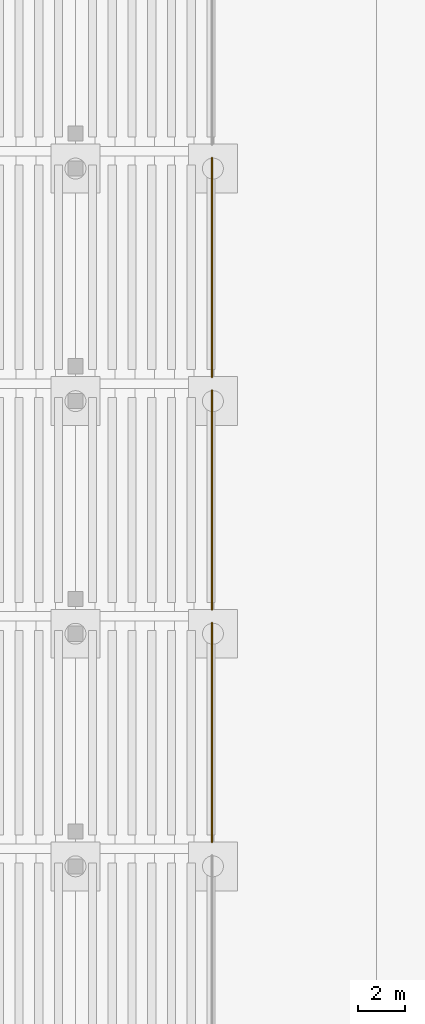
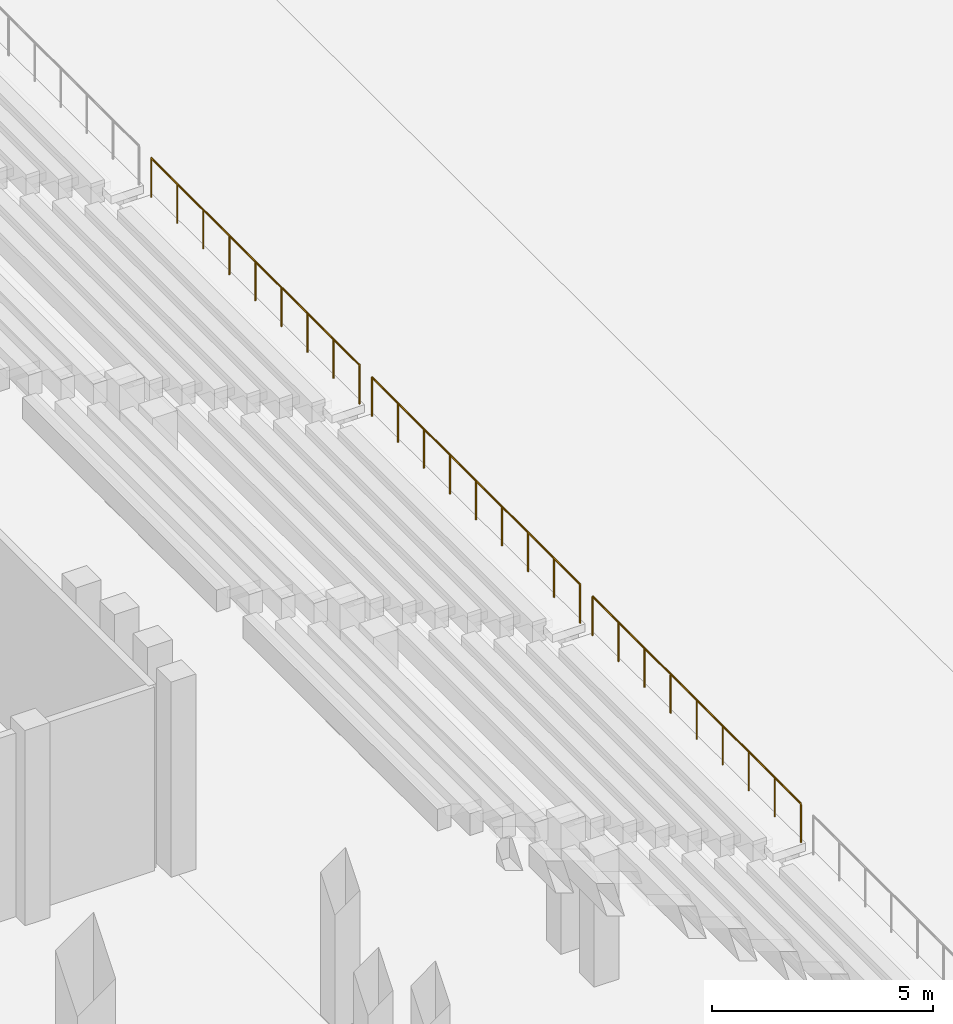
# One storey, part 71 of 89: 3 railings.
"""IFC4 building model written with IfcOpenShell, lengths in metres."""

from ifc_helpers import new_model, si_unit, direction, frame, origin, origin_2d, place, context, subcontext, project, spatial, circle, extrude, material, type_object, element, save


model = new_model("IFC4")

# Units and contexts
model_context = context("Model", 3, precision=1e-05, world=origin(), true_north=direction((0.0, 1.0)))
body_context = subcontext(model_context, "Body", "Model", "MODEL_VIEW")
ifc_project = project(units=[si_unit("LENGTHUNIT", "METRE"), si_unit("AREAUNIT", "SQUARE_METRE"), si_unit("VOLUMEUNIT", "CUBIC_METRE"), si_unit("PLANEANGLEUNIT", "RADIAN"), si_unit("MASSUNIT", "GRAM", prefix="KILO")], contexts=[model_context])

# Site, building, storey
site_placement = place(None, origin())
site = spatial("IfcSite", under=ifc_project, at=site_placement, CompositionType="ELEMENT")
building_placement = place(site_placement, origin())
building = spatial("IfcBuilding", under=site, at=building_placement, Name="Koshinbarg Plaza Stadium", CompositionType="ELEMENT")
storey_placement = place(building_placement, origin())
storey = spatial("IfcBuildingStorey", under=building, at=storey_placement, Name="L00", CompositionType="ELEMENT", Elevation=0.0)

# Railings
ifc_material = material(Name="Toughened laminated glass and stainless steel sightline balustrade", Category="steel")
railing_type = type_object("IfcRailingType", Name="RL-BOWL-1100", PredefinedType="BALUSTRADE", material=ifc_material)
for number, where, name in (
    (1, (80.919921875, 66.280029296875, 1.02001953125), "LT-W05 front stand crowd barrier"),
    (2, (80.919921875, 76.280029296875, 1.02001953125), "LT-W06 front stand crowd barrier"),
    (3, (80.919921875, 86.280029296875, 1.02001953125), "LT-W07 front stand crowd barrier"),
):
    element("IfcRailing", number, at=place(storey_placement, frame(where)), inside=storey, type_object=railing_type, Name=name, PredefinedType="BALUSTRADE", context=body_context, shape_type="SweptSolid", body=[
        extrude(circle(Radius=0.02392578125, at=origin_2d()), frame((0.0, 0.0, 1.076171875), z_axis=(0.0, 1.0, 0.0), x_axis=(-1.0, 0.0, 0.0)), (0.0, 0.0, 1.0), 9.43994140625),
        extrude(circle(Radius=0.02099609375, at=origin_2d()), origin(), (0.0, 0.0, 1.0), 1.052001953125),
        extrude(circle(Radius=0.02099609375, at=origin_2d()), frame((0.0, 1.179931640625, 0.0)), (0.0, 0.0, 1.0), 1.052001953125),
        extrude(circle(Radius=0.02099609375, at=origin_2d()), frame((0.0, 2.35986328125, 0.0)), (0.0, 0.0, 1.0), 1.052001953125),
        extrude(circle(Radius=0.02099609375, at=origin_2d()), frame((0.0, 3.5400390625, 0.0)), (0.0, 0.0, 1.0), 1.052001953125),
        extrude(circle(Radius=0.02099609375, at=origin_2d()), frame((0.0, 4.719970703125, 0.0)), (0.0, 0.0, 1.0), 1.052001953125),
        extrude(circle(Radius=0.02099609375, at=origin_2d()), frame((0.0, 5.89990234375, 0.0)), (0.0, 0.0, 1.0), 1.052001953125),
        extrude(circle(Radius=0.02099609375, at=origin_2d()), frame((0.0, 7.080078125, 0.0)), (0.0, 0.0, 1.0), 1.052001953125),
        extrude(circle(Radius=0.02099609375, at=origin_2d()), frame((0.0, 8.260009765625, 0.0)), (0.0, 0.0, 1.0), 1.052001953125),
        extrude(circle(Radius=0.02099609375, at=origin_2d()), frame((0.0, 9.43994140625, 0.0)), (0.0, 0.0, 1.0), 1.052001953125),
    ])

save(model, "model.ifc")
